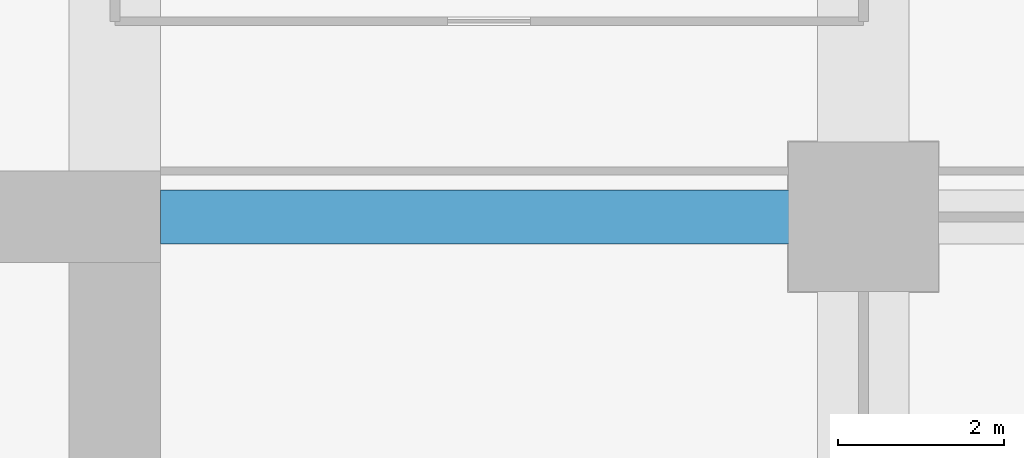
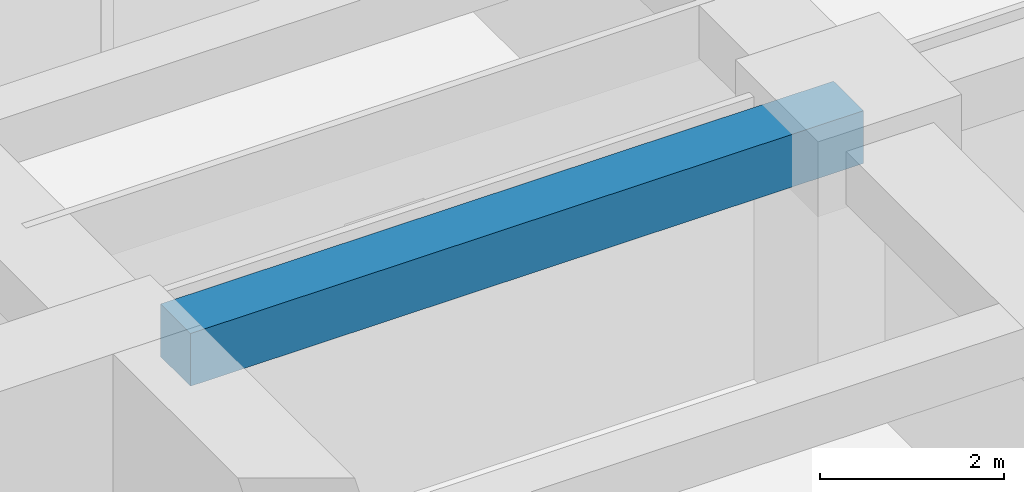
# One storey, part 31 of 40: 1 beam.
"""IFC4 building model written with IfcOpenShell, lengths in metres."""

from ifc_helpers import new_model, si_unit, direction, frame, origin, origin_2d, place, context, subcontext, project, spatial, rectangle, extrude, material, material_profile, profile_set, type_object, element, save


model = new_model("IFC4")

# Units and contexts
model_context = context("Model", 3, precision=1e-05, world=origin(), true_north=direction((0.0, 1.0)))
body_context = subcontext(model_context, "Body", "Model", "MODEL_VIEW")
ifc_project = project(units=[si_unit("LENGTHUNIT", "METRE"), si_unit("AREAUNIT", "SQUARE_METRE"), si_unit("VOLUMEUNIT", "CUBIC_METRE"), si_unit("PLANEANGLEUNIT", "RADIAN"), si_unit("MASSUNIT", "GRAM", prefix="KILO")], contexts=[model_context])

# Site, building, storey
site_placement = place(None, origin())
site = spatial("IfcSite", under=ifc_project, at=site_placement, CompositionType="ELEMENT")
building_placement = place(site_placement, origin())
building = spatial("IfcBuilding", under=site, at=building_placement, Name="Zorevar Civic Tower", CompositionType="ELEMENT")
storey_placement = place(building_placement, frame((0.0, 0.0, 129.0)))
storey = spatial("IfcBuildingStorey", under=building, at=storey_placement, Name="L31", CompositionType="ELEMENT", Elevation=129.0)

# Beam
ifc_material = material(Name="Concrete C50/60", Category="concrete")
ifc_material_profile = material_profile(ifc_material, rectangle(XDim=0.64990234375, YDim=0.699951171875, at=origin_2d()), Name="RC 650x700")
ifc_profile_set = profile_set([ifc_material_profile], Name="Concrete C50/60")
beam_type = type_object("IfcBeamType", Name="Beam RC 650x700", PredefinedType="BEAM", material=ifc_profile_set)
beam_placement = place(storey_placement, frame((45.550048828125, 36.0, 3.39990234375), z_axis=(1.0, 0.0, 0.0), x_axis=(0.0, 1.0, 0.0)))
element("IfcBeam", 1, at=beam_placement, inside=storey, type_object=beam_type, Name="Girder L32", PredefinedType="BEAM", context=body_context, shape_type="SweptSolid", body=[
    extrude(rectangle(XDim=0.64990234375, YDim=0.699951171875, at=origin_2d()), origin(), (0.0, 0.0, 1.0), 8.449951171875),
])

save(model, "model.ifc")
